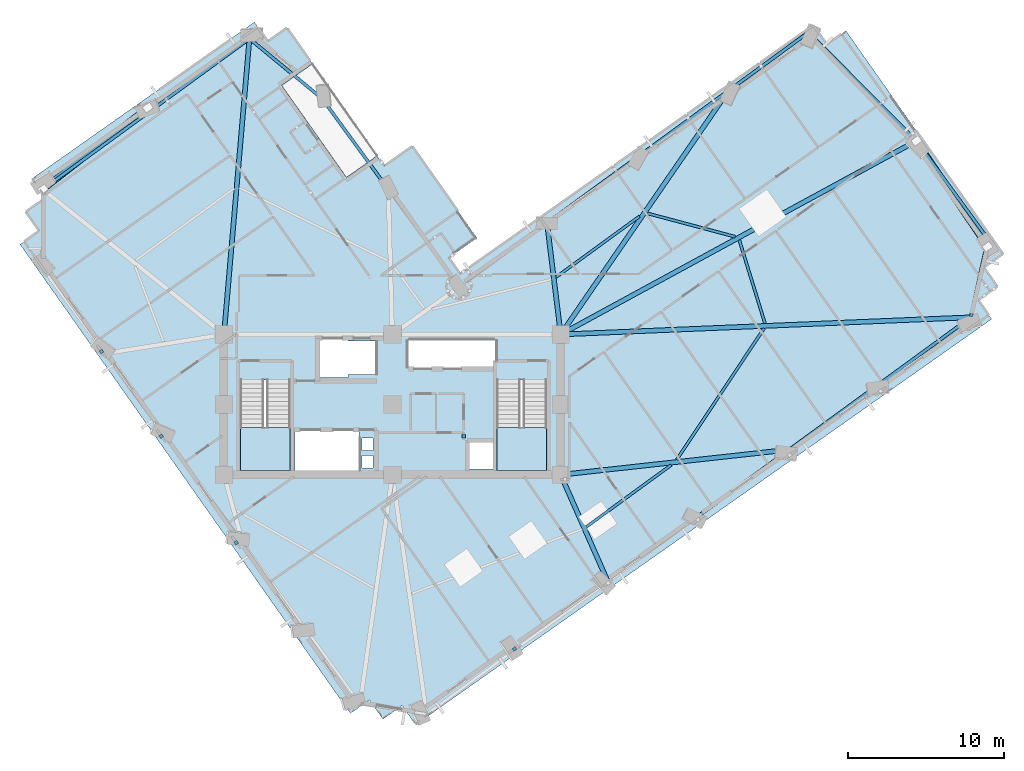
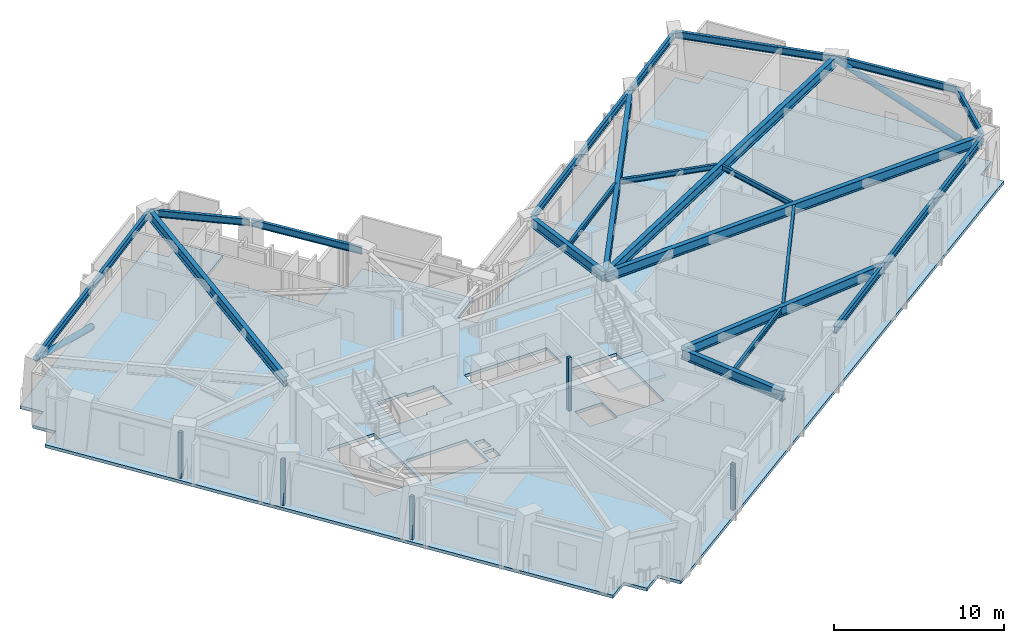
# One storey, part 2 of 13: 25 beams, 5 plates, 3 slabs, 2 members, 2 elements without a shape of their own.
"""IFC4 building model written with IfcOpenShell, lengths in metres."""

from ifc_helpers import new_model, si_unit, direction, frame, origin, origin_2d, place, context, subcontext, project, spatial, polyline, rectangle, hollow_circle, i_section, outline, extrude, material, layer, layer_set, material_profile, profile_set, type_object, element, aggregate, save


model = new_model("IFC4")

# Units and contexts
model_context = context("Model", 3, precision=1e-05, world=origin(), true_north=direction((0.0, 1.0)))
body_context = subcontext(model_context, "Body", "Model", "MODEL_VIEW")
ifc_project = project(units=[si_unit("LENGTHUNIT", "METRE"), si_unit("AREAUNIT", "SQUARE_METRE"), si_unit("VOLUMEUNIT", "CUBIC_METRE"), si_unit("PLANEANGLEUNIT", "RADIAN"), si_unit("MASSUNIT", "GRAM", prefix="KILO")], contexts=[model_context])

# Site, building, storey
site_placement = place(None, origin())
site = spatial("IfcSite", under=ifc_project, at=site_placement, CompositionType="ELEMENT")
building_placement = place(site_placement, origin())
building = spatial("IfcBuilding", under=site, at=building_placement, Name="Gaonmaruhae Medical Tower", CompositionType="ELEMENT")
storey_placement = place(building_placement, frame((0.0, 0.0, 173.800048828125)))
storey = spatial("IfcBuildingStorey", under=building, at=storey_placement, Name="L41", CompositionType="ELEMENT", Elevation=173.800048828125)

# Beams
ifc_material_1 = material(Name="Steel SM355", Category="steel")
ifc_material_profile_1 = material_profile(ifc_material_1, i_section(OverallWidth=0.175048828125, OverallDepth=0.35009765625, WebThickness=0.007080078125, FlangeThickness=0.010986328125, FilletRadius=0.012939453125, at=origin_2d()), Name="H-350x175x7x11")
ifc_profile_set_1 = profile_set([ifc_material_profile_1], Name="Steel SM355")
beam_type_1 = type_object("IfcBeamType", Name="FJ-02 Upper Zone Ward Floor Joist (H-350x175x7x11)", PredefinedType="JOIST", material=ifc_profile_set_1)
beam_1_placement = place(storey_placement, frame((37.24365234375, 4.459228515625, 3.60498046875), z_axis=(0.808007889848, 0.58917166424, 0.0), x_axis=(-0.58917166424, 0.808007889848, 0.0)))
element("IfcBeam", 1, at=beam_1_placement, inside=storey, type_object=beam_type_1, Name="L41 Secondary Floor Joist FJ02", PredefinedType="JOIST", context=body_context, shape_type="SweptSolid", body=[
    extrude(i_section(OverallWidth=0.175048828125, OverallDepth=0.35009765625, WebThickness=0.007080078125, FlangeThickness=0.010986328125, FilletRadius=0.012939453125, at=origin_2d()), origin(), (0.0, 0.0, 1.0), 6.73291015625),
])
beam_2_placement = place(storey_placement, frame((43.044189453125, 8.775146484375, 3.60498046875), z_axis=(0.553986532679, 0.8325256282, 0.0), x_axis=(-0.8325256282, 0.553986532679, 0.0)))
element("IfcBeam", 2, at=beam_2_placement, inside=storey, type_object=beam_type_1, Name="L41 Secondary Floor Joist FJ03", PredefinedType="JOIST", context=body_context, shape_type="SweptSolid", body=[
    extrude(i_section(OverallWidth=0.175048828125, OverallDepth=0.35009765625, WebThickness=0.007080078125, FlangeThickness=0.010986328125, FilletRadius=0.012939453125, at=origin_2d()), origin(), (0.0, 0.0, 1.0), 10.10791015625),
])
beam_3_placement = place(storey_placement, frame((48.702392578125, 17.50341796875, 3.60498046875), z_axis=(-0.29450541671, 0.955649810092, 0.0), x_axis=(-0.955649810092, -0.29450541671, 0.0)))
element("IfcBeam", 3, at=beam_3_placement, inside=storey, type_object=beam_type_1, Name="L41 Secondary Floor Joist FJ04", PredefinedType="JOIST", context=body_context, shape_type="SweptSolid", body=[
    extrude(i_section(OverallWidth=0.175048828125, OverallDepth=0.35009765625, WebThickness=0.007080078125, FlangeThickness=0.010986328125, FilletRadius=0.012939453125, at=origin_2d()), origin(), (0.0, 0.0, 1.0), 5.6015625),
])
beam_4_placement = place(storey_placement, frame((46.789306640625, 23.066162109375, 3.60498046875), z_axis=(-0.966301404226, 0.25741327897, 0.0), x_axis=(-0.25741327897, -0.966301404226, 0.0)))
element("IfcBeam", 4, at=beam_4_placement, inside=storey, type_object=beam_type_1, Name="L41 Secondary Floor Joist FJ05", PredefinedType="JOIST", context=body_context, shape_type="SweptSolid", body=[
    extrude(i_section(OverallWidth=0.175048828125, OverallDepth=0.35009765625, WebThickness=0.007080078125, FlangeThickness=0.010986328125, FilletRadius=0.012939453125, at=origin_2d()), origin(), (0.0, 0.0, 1.0), 5.849853515625),
])
beam_5_placement = place(storey_placement, frame((40.653076171875, 24.378662109375, 3.60498046875), z_axis=(-0.807984492993, -0.589203750058, 0.0), x_axis=(0.589203750058, -0.807984492993, 0.0)))
element("IfcBeam", 5, at=beam_5_placement, inside=storey, type_object=beam_type_1, Name="L41 Secondary Floor Joist FJ06", PredefinedType="JOIST", context=body_context, shape_type="SweptSolid", body=[
    extrude(i_section(OverallWidth=0.175048828125, OverallDepth=0.35009765625, WebThickness=0.007080078125, FlangeThickness=0.010986328125, FilletRadius=0.012939453125, at=origin_2d()), origin(), (0.0, 0.0, 1.0), 6.621826171875),
])

# Members
ifc_material_2 = material(Name="Steel SM420", Category="steel")
ifc_material_profile_2 = material_profile(ifc_material_2, hollow_circle(Radius=0.203125, WallThickness=0.0126953125, at=origin_2d()), Name="CHS-406.4x12.7")
ifc_profile_set_2 = profile_set([ifc_material_profile_2], Name="Steel SM420")
member_type = type_object("IfcMemberType", Name="PB-02 Perimeter Solid-Bay Tube Brace Mid (CHS-406.4x12.7)", PredefinedType="BRACE", material=ifc_profile_set_2)
member_1_placement = place(storey_placement, frame((62.971923828125, 22.427490234375, 0.25), z_axis=(-0.517505162012, 0.770481211818, 0.372219168672), x_axis=(-0.830130339402, -0.557569385462, 0.0)))
element("IfcMember", 6, at=member_1_placement, inside=storey, type_object=member_type, Name="L41 Perimeter Tube Solid-Bay Brace E01-E02", PredefinedType="BRACE", context=body_context, shape_type="SweptSolid", body=[
    extrude(hollow_circle(Radius=0.203125, WallThickness=0.0126953125, at=origin_2d()), origin(), (0.0, 0.0, 1.0), 8.81201171875),
])
member_2_placement = place(storey_placement, frame((9.115478515625, 31.347900390625, 0.25), z_axis=(-0.736573453832, -0.5732496654, 0.358948977193), x_axis=(0.614180375537, -0.789165677348, 0.0)))
element("IfcMember", 7, at=member_2_placement, inside=storey, type_object=member_type, Name="L41 Perimeter Tube Solid-Bay Brace N02-N03", PredefinedType="BRACE", context=body_context, shape_type="SweptSolid", body=[
    extrude(hollow_circle(Radius=0.203125, WallThickness=0.0126953125, at=origin_2d()), origin(), (0.0, 0.0, 1.0), 9.137939453125),
])

# Beams
ifc_material_profile_3 = material_profile(ifc_material_2, i_section(OverallWidth=0.300048828125, OverallDepth=0.699951171875, WebThickness=0.012939453125, FlangeThickness=0.02392578125, FilletRadius=0.01806640625, at=origin_2d()), Name="H-700x300x13x24")
ifc_profile_set_3 = profile_set([ifc_material_profile_3], Name="Steel SM420")
beam_type_2 = type_object("IfcBeamType", Name="PG-03 Zone 3 Radial Floor Girder (H-700x300x13x24)", PredefinedType="BEAM", material=ifc_profile_set_3)
beam_6_placement = place(storey_placement, frame((35.6201171875, 7.754150390625, 3.429931640625), z_axis=(0.403546896602, -0.914958962054, 0.0), x_axis=(0.914958962054, 0.403546896602, 0.0)))
element("IfcBeam", 8, at=beam_6_placement, inside=storey, type_object=beam_type_2, Name="L41 Radial Primary Girder S03", PredefinedType="BEAM", context=body_context, shape_type="SweptSolid", body=[
    extrude(i_section(OverallWidth=0.300048828125, OverallDepth=0.699951171875, WebThickness=0.012939453125, FlangeThickness=0.02392578125, FilletRadius=0.01806640625, at=origin_2d()), origin(), (0.0, 0.0, 1.0), 7.407958984375),
])
beam_7_placement = place(storey_placement, frame((35.649658203125, 7.805419921875, 3.429931640625), z_axis=(0.993992761266, 0.109445833871, 0.0), x_axis=(-0.109445833871, 0.993992761266, 0.0)))
element("IfcBeam", 9, at=beam_7_placement, inside=storey, type_object=beam_type_2, Name="L41 Radial Primary Girder S05", PredefinedType="BEAM", context=body_context, shape_type="SweptSolid", body=[
    extrude(i_section(OverallWidth=0.300048828125, OverallDepth=0.699951171875, WebThickness=0.012939453125, FlangeThickness=0.02392578125, FilletRadius=0.01806640625, at=origin_2d()), origin(), (0.0, 0.0, 1.0), 14.653564453125),
])
beam_8_placement = place(storey_placement, frame((35.64990234375, 16.802001953125, 3.429931640625), z_axis=(0.999127821099, 0.041756401972, 0.0), x_axis=(-0.041756401972, 0.999127821099, 0.0)))
element("IfcBeam", 10, at=beam_8_placement, inside=storey, type_object=beam_type_2, Name="L41 Radial Primary Girder S07", PredefinedType="BEAM", context=body_context, shape_type="SweptSolid", body=[
    extrude(i_section(OverallWidth=0.300048828125, OverallDepth=0.699951171875, WebThickness=0.012939453125, FlangeThickness=0.02392578125, FilletRadius=0.01806640625, at=origin_2d()), origin(), (0.0, 0.0, 1.0), 26.222900390625),
])
beam_9_placement = place(storey_placement, frame((35.643798828125, 16.823974609375, 3.429931640625), z_axis=(0.878312845344, 0.478086337081, 0.0), x_axis=(-0.478086337081, 0.878312845344, 0.0)))
element("IfcBeam", 11, at=beam_9_placement, inside=storey, type_object=beam_type_2, Name="L41 Radial Primary Girder E02", PredefinedType="BEAM", context=body_context, shape_type="SweptSolid", body=[
    extrude(i_section(OverallWidth=0.300048828125, OverallDepth=0.699951171875, WebThickness=0.012939453125, FlangeThickness=0.02392578125, FilletRadius=0.01806640625, at=origin_2d()), origin(), (0.0, 0.0, 1.0), 25.8720703125),
])
beam_10_placement = place(storey_placement, frame((35.62841796875, 16.84130859375, 3.429931640625), z_axis=(0.56683625254, 0.823830481839, 0.0), x_axis=(-0.823830481839, 0.56683625254, 0.0)))
element("IfcBeam", 12, at=beam_10_placement, inside=storey, type_object=beam_type_2, Name="L41 Radial Primary Girder EN01", PredefinedType="BEAM", context=body_context, shape_type="SweptSolid", body=[
    extrude(i_section(OverallWidth=0.300048828125, OverallDepth=0.699951171875, WebThickness=0.012939453125, FlangeThickness=0.02392578125, FilletRadius=0.01806640625, at=origin_2d()), origin(), (0.0, 0.0, 1.0), 18.871337890625),
])
beam_11_placement = place(storey_placement, frame((35.593994140625, 16.849609375, 3.429931640625), z_axis=(-0.122430385256, 0.992477103396, 0.0), x_axis=(-0.992477103396, -0.122430385256, 0.0)))
element("IfcBeam", 13, at=beam_11_placement, inside=storey, type_object=beam_type_2, Name="L41 Radial Primary Girder EN03", PredefinedType="BEAM", context=body_context, shape_type="SweptSolid", body=[
    extrude(i_section(OverallWidth=0.300048828125, OverallDepth=0.699951171875, WebThickness=0.012939453125, FlangeThickness=0.02392578125, FilletRadius=0.01806640625, at=origin_2d()), origin(), (0.0, 0.0, 1.0), 7.09912109375),
])
beam_12_placement = place(storey_placement, frame((14.00439453125, 16.849853515625, 3.429931640625), z_axis=(0.085900473647, 0.996303723082, 0.0), x_axis=(-0.996303723082, 0.085900473647, 0.0)))
element("IfcBeam", 14, at=beam_12_placement, inside=storey, type_object=beam_type_2, Name="L41 Radial Primary Girder N01", PredefinedType="BEAM", context=body_context, shape_type="SweptSolid", body=[
    extrude(i_section(OverallWidth=0.300048828125, OverallDepth=0.699951171875, WebThickness=0.012939453125, FlangeThickness=0.02392578125, FilletRadius=0.01806640625, at=origin_2d()), origin(), (0.0, 0.0, 1.0), 18.94287109375),
])
ifc_material_profile_4 = material_profile(ifc_material_1, i_section(OverallWidth=0.199951171875, OverallDepth=0.5, WebThickness=0.010009765625, FlangeThickness=0.01611328125, FilletRadius=0.012939453125, at=origin_2d()), Name="H-500x200x10x16")
ifc_profile_set_4 = profile_set([ifc_material_profile_4], Name="Steel SM355")
beam_type_3 = type_object("IfcBeamType", Name="SP-02 Upper Perimeter Spandrel Beam (H-500x200x10x16)", PredefinedType="SPANDREL", material=ifc_profile_set_4)
for number, where, z_axis, x_axis, name in (
    (15, (44.4794921875, 5.196044921875, 3.530029296875), (0.807992566655, 0.589192678358, 0.0), (-0.589192678358, 0.807992566655, 0.0), "L41 Perimeter Spandrel Beam S04-S05"),
    (16, (50.297119140625, 9.438232421875, 3.530029296875), (0.807992566655, 0.589192678358, 0.0), (-0.589192678358, 0.807992566655, 0.0), "L41 Perimeter Spandrel Beam S05-S06"),
    (17, (56.114501953125, 13.680419921875, 3.530029296875), (0.807992566655, 0.589192678358, 0.0), (-0.589192678358, 0.807992566655, 0.0), "L41 Perimeter Spandrel Beam S06-S07"),
):
    element("IfcBeam", number, at=place(storey_placement, frame(where, z_axis=z_axis, x_axis=x_axis)), inside=storey, type_object=beam_type_3, Name=name, PredefinedType="SPANDREL", context=body_context, shape_type="SweptSolid", body=[
        extrude(i_section(OverallWidth=0.199951171875, OverallDepth=0.5, WebThickness=0.010009765625, FlangeThickness=0.01611328125, FilletRadius=0.012939453125, at=origin_2d()), origin(), (0.0, 0.0, 1.0), 7.1201171875),
    ])
beam_13_placement = place(storey_placement, frame((61.908447265625, 17.938232421875, 3.530029296875), z_axis=(0.215631738056, 0.976474758272, 0.0), x_axis=(-0.976474758272, 0.215631738056, 0.0)))
element("IfcBeam", 18, at=beam_13_placement, inside=storey, type_object=beam_type_3, Name="L41 Perimeter Spandrel Beam S07-E01", PredefinedType="SPANDREL", context=body_context, shape_type="SweptSolid", body=[
    extrude(i_section(OverallWidth=0.199951171875, OverallDepth=0.5, WebThickness=0.010009765625, FlangeThickness=0.01611328125, FilletRadius=0.012939453125, at=origin_2d()), origin(), (0.0, 0.0, 1.0), 5.056396484375),
])
beam_14_placement = place(storey_placement, frame((62.983642578125, 22.947021484375, 3.530029296875), z_axis=(-0.589203557871, 0.807984633141, 0.0), x_axis=(-0.807984633141, -0.589203557871, 0.0)))
element("IfcBeam", 19, at=beam_14_placement, inside=storey, type_object=beam_type_3, Name="L41 Perimeter Spandrel Beam E01-E02", PredefinedType="SPANDREL", context=body_context, shape_type="SweptSolid", body=[
    extrude(i_section(OverallWidth=0.199951171875, OverallDepth=0.5, WebThickness=0.010009765625, FlangeThickness=0.01611328125, FilletRadius=0.012939453125, at=origin_2d()), origin(), (0.0, 0.0, 1.0), 7.719970703125),
])
beam_15_placement = place(storey_placement, frame((58.38330078125, 29.245361328125, 3.530029296875), z_axis=(-0.705751260539, 0.708459708274, 0.0), x_axis=(-0.708459708274, -0.705751260539, 0.0)))
element("IfcBeam", 20, at=beam_15_placement, inside=storey, type_object=beam_type_3, Name="L41 Perimeter Spandrel Beam E02-E03", PredefinedType="SPANDREL", context=body_context, shape_type="SweptSolid", body=[
    extrude(i_section(OverallWidth=0.199951171875, OverallDepth=0.5, WebThickness=0.010009765625, FlangeThickness=0.01611328125, FilletRadius=0.012939453125, at=origin_2d()), origin(), (0.0, 0.0, 1.0), 9.735107421875),
])
beam_16_placement = place(storey_placement, frame((51.4521484375, 36.147216796875, 3.530029296875), z_axis=(-0.80798783493, -0.58919916718, 0.0), x_axis=(0.58919916718, -0.80798783493, 0.0)))
element("IfcBeam", 21, at=beam_16_placement, inside=storey, type_object=beam_type_3, Name="L41 Perimeter Spandrel Beam E03-EN01", PredefinedType="SPANDREL", context=body_context, shape_type="SweptSolid", body=[
    extrude(i_section(OverallWidth=0.199951171875, OverallDepth=0.5, WebThickness=0.010009765625, FlangeThickness=0.01611328125, FilletRadius=0.012939453125, at=origin_2d()), origin(), (0.0, 0.0, 1.0), 6.27001953125),
])
for number, where, z_axis, x_axis, name in (
    (22, (46.3212890625, 32.40576171875, 3.530029296875), (-0.807992566655, -0.589192678358, 0.0), (0.589192678358, -0.807992566655, 0.0), "L41 Perimeter Spandrel Beam EN01-EN02"),
    (23, (40.50390625, 28.16357421875, 3.530029296875), (-0.807992566655, -0.589192678358, 0.0), (0.589192678358, -0.807992566655, 0.0), "L41 Perimeter Spandrel Beam EN02-EN03"),
    (24, (24.51318359375, 26.144287109375, 3.510009765625), (-0.589192678358, 0.807992566655, 0.0), (-0.807992566655, -0.589192678358, 0.0), "L41 Perimeter Spandrel Beam NE01-NE02"),
):
    element("IfcBeam", number, at=place(storey_placement, frame(where, z_axis=z_axis, x_axis=x_axis)), inside=storey, type_object=beam_type_3, Name=name, PredefinedType="SPANDREL", context=body_context, shape_type="SweptSolid", body=[
        extrude(i_section(OverallWidth=0.199951171875, OverallDepth=0.5, WebThickness=0.010009765625, FlangeThickness=0.01611328125, FilletRadius=0.012939453125, at=origin_2d()), origin(), (0.0, 0.0, 1.0), 7.1201171875),
    ])
beam_17_placement = place(storey_placement, frame((20.263671875, 31.954833984375, 3.510009765625), z_axis=(-0.771411991554, 0.636336027023, 0.0), x_axis=(-0.636336027023, -0.771411991554, 0.0)))
element("IfcBeam", 25, at=beam_17_placement, inside=storey, type_object=beam_type_3, Name="L41 Perimeter Spandrel Beam NE02-N01", PredefinedType="SPANDREL", context=body_context, shape_type="SweptSolid", body=[
    extrude(i_section(OverallWidth=0.199951171875, OverallDepth=0.5, WebThickness=0.010009765625, FlangeThickness=0.01611328125, FilletRadius=0.012939453125, at=origin_2d()), origin(), (0.0, 0.0, 1.0), 5.958984375),
])
beam_18_placement = place(storey_placement, frame((15.603515625, 35.748779296875, 3.530029296875), z_axis=(-0.807991725344, -0.589193832093, 0.0), x_axis=(0.589193832093, -0.807991725344, 0.0)))
element("IfcBeam", 26, at=beam_18_placement, inside=storey, type_object=beam_type_3, Name="L41 Perimeter Spandrel Beam N01-N02", PredefinedType="SPANDREL", context=body_context, shape_type="SweptSolid", body=[
    extrude(i_section(OverallWidth=0.199951171875, OverallDepth=0.5, WebThickness=0.010009765625, FlangeThickness=0.01611328125, FilletRadius=0.012939453125, at=origin_2d()), origin(), (0.0, 0.0, 1.0), 8.119873046875),
])
beam_19_placement = place(storey_placement, frame((8.97802734375, 30.91748046875, 3.530029296875), z_axis=(-0.807987849415, -0.589199147316, 0.0), x_axis=(0.589199147316, -0.807987849415, 0.0)))
element("IfcBeam", 27, at=beam_19_placement, inside=storey, type_object=beam_type_3, Name="L41 Perimeter Spandrel Beam N02-N03", PredefinedType="SPANDREL", context=body_context, shape_type="SweptSolid", body=[
    extrude(i_section(OverallWidth=0.199951171875, OverallDepth=0.5, WebThickness=0.010009765625, FlangeThickness=0.01611328125, FilletRadius=0.012939453125, at=origin_2d()), origin(), (0.0, 0.0, 1.0), 8.1201171875),
])

# Slab
ifc_material_3 = material(Name="Concrete C40/50", Category="concrete")
ifc_layer_1 = layer(ifc_material_3, 0.219970703125)
ifc_layer_set_1 = layer_set([ifc_layer_1], Name="Concrete C40/50")
slab_type_1 = type_object("IfcSlabType", Name="FS-220 Clinical Ward Composite Floor Slab", PredefinedType="FLOOR", material=ifc_layer_set_1)
slab_1_placement = place(storey_placement, frame((0.0, 0.0, -0.219970703125)))
element("IfcSlab", 28, at=slab_1_placement, inside=storey, type_object=slab_type_1, Name="L41 Structural Slab 1", PredefinedType="FLOOR", context=body_context, shape_type="SweptSolid", body=[
    extrude(outline(polyline([(51.803466796875, 36.638916015625), (52.6669921875, 35.41259765625), (53.8935546875, 36.276123046875), (63.96875, 21.96728515625), (62.7421875, 21.103759765625), (63.605712890625, 19.877197265625), (62.37939453125, 19.013671875), (63.242919921875, 17.787109375), (26.28515625, -8.2353515625), (25.421630859375, -7.0087890625), (24.1953125, -7.872314453125), (23.33154296875, -6.64599609375), (22.10498046875, -7.509521484375), (0.918701171875, 22.579833984375), (2.14501953125, 23.443603515625), (1.281494140625, 24.669921875), (2.508056640625, 25.533447265625), (1.644287109375, 26.760009765625), (15.953369140625, 36.835205078125), (16.81689453125, 35.608642578125), (18.043212890625, 36.47216796875), (19.677734375, 34.15087890625), (17.71533203125, 32.76904296875), (21.860595703125, 26.882080078125), (23.822998046875, 28.263916015625), (24.283447265625, 27.609619140625), (26.08251953125, 28.876220703125), (30.2275390625, 22.9892578125), (28.4287109375, 21.72265625), (29.15478515625, 20.691650390625), (51.803466796875, 36.638916015625)]), holes=[polyline([(23.550048828125, 8.25), (22.85009765625, 8.25), (22.85009765625, 9.050048828125), (23.550048828125, 9.050048828125), (23.550048828125, 8.25)]), polyline([(31.425048828125, 9.925048828125), (31.425048828125, 8.175048828125), (29.574951171875, 8.175048828125), (29.574951171875, 9.925048828125), (31.425048828125, 9.925048828125)]), polyline([(22.64990234375, 10.625), (22.64990234375, 8.074951171875), (18.550048828125, 8.074951171875), (18.550048828125, 10.625), (22.64990234375, 10.625)]), polyline([(23.550048828125, 9.35009765625), (22.85009765625, 9.35009765625), (22.85009765625, 10.14990234375), (23.550048828125, 10.14990234375), (23.550048828125, 9.35009765625)]), polyline([(15.050048828125, 13.889892578125), (18.25, 13.889892578125), (18.25, 8.300048828125), (15.050048828125, 8.300048828125), (15.050048828125, 13.889892578125)]), polyline([(31.5, 13.889892578125), (34.699951171875, 13.889892578125), (34.699951171875, 8.300048828125), (31.5, 8.300048828125), (31.5, 13.889892578125)]), polyline([(21.949951171875, 14.22509765625), (21.949951171875, 14.02490234375), (19.949951171875, 14.02490234375), (19.949951171875, 16.574951171875), (21.949951171875, 16.574951171875), (21.949951171875, 16.375), (23.72509765625, 16.375), (23.72509765625, 14.22509765625), (21.949951171875, 14.22509765625)]), polyline([(31.425048828125, 16.425048828125), (31.425048828125, 14.675048828125), (25.824951171875, 14.675048828125), (25.824951171875, 16.425048828125), (31.425048828125, 16.425048828125)])]), origin(), (0.0, 0.0, 1.0), 0.219970703125),
])

# Plates
ifc_material_4 = material(Name="Anodised aluminium 6063-T6", Category="aluminium")
ifc_layer_2 = layer(ifc_material_4, 0.011962890625)
ifc_layer_set_2 = layer_set([ifc_layer_2], Name="Anodised aluminium 6063-T6")
plate_type = type_object("IfcPlateType", Name="PP-01 Interior Partition Corner Stiffener Plate", PredefinedType="SHEET", material=ifc_layer_set_2)
plate_1_placement = place(storey_placement, frame((29.3798828125, 10.260009765625, 0.0), z_axis=(0.0, 0.0, 1.0), x_axis=(0.0, -1.0, 0.0)))
element("IfcPlate", 29, at=plate_1_placement, inside=storey, type_object=plate_type, Name="L41 Partition Corner Stiffener Plate PLT-L41-JGP-PW002", PredefinedType="SHEET", context=body_context, shape_type="SweptSolid", body=[
    extrude(rectangle(XDim=0.219970703125, YDim=0.219970703125, at=origin_2d()), origin(), (0.0, 0.0, 1.0), 3.780029296875),
])
plate_2_placement = place(storey_placement, frame((32.6298828125, -3.3759765625, 0.0), z_axis=(0.0, 0.0, 1.0), x_axis=(-0.817547124842, -0.575861700985, 0.0)))
element("IfcPlate", 30, at=plate_2_placement, inside=storey, type_object=plate_type, Name="L41 Partition Corner Stiffener Plate PLT-L41-JGP-PW008", PredefinedType="SHEET", context=body_context, shape_type="SweptSolid", body=[
    extrude(rectangle(XDim=0.219970703125, YDim=0.219970703125, at=origin_2d()), origin(), (0.0, 0.0, 1.0), 3.264892578125),
])
plate_3_placement = place(storey_placement, frame((14.782958984375, 3.445556640625, 0.0), z_axis=(0.0, 0.0, 1.0), x_axis=(-0.575562015641, 0.817758134262, 0.0)))
element("IfcPlate", 31, at=plate_3_placement, inside=storey, type_object=plate_type, Name="L41 Partition Corner Stiffener Plate PLT-L41-JGP-PW037", PredefinedType="SHEET", context=body_context, shape_type="SweptSolid", body=[
    extrude(rectangle(XDim=0.219970703125, YDim=0.219970703125, at=origin_2d()), origin(), (0.0, 0.0, 1.0), 3.06494140625),
])
for number, where, z_axis, x_axis, name in (
    (32, (9.9755859375, 10.2724609375, 0.0), (0.0, 0.0, 1.0), (-0.575690461687, 0.817667715103, 0.0), "L41 Partition Corner Stiffener Plate PLT-L41-JGP-PW043"),
    (33, (6.1474609375, 15.70947265625, 0.0), (0.0, 0.0, 1.0), (-0.575447829456, 0.817838489908, 0.0), "L41 Partition Corner Stiffener Plate PLT-L41-JGP-PW047"),
):
    element("IfcPlate", number, at=place(storey_placement, frame(where, z_axis=z_axis, x_axis=x_axis)), inside=storey, type_object=plate_type, Name=name, PredefinedType="SHEET", context=body_context, shape_type="SweptSolid", body=[
        extrude(rectangle(XDim=0.219970703125, YDim=0.219970703125, at=origin_2d()), origin(), (0.0, 0.0, 1.0), 3.264892578125),
    ])

# Stair, slab
stair_type = type_object("IfcStairType", Name="ST-T1 Primary Core Escape Dogleg Stair", PredefinedType="TWO_QUARTER_TURN_STAIR", material=ifc_material_3)
stair_1_placement = place(storey_placement, origin())
stair_1 = element("IfcStair", 34, at=stair_1_placement, inside=storey, type_object=stair_type, Name="L41 Protected Escape Stair ST-01", PredefinedType="TWO_QUARTER_TURN_STAIR")
ifc_layer_3 = layer(ifc_material_3, 0.199951171875)
ifc_layer_set_3 = layer_set([ifc_layer_3], Name="Concrete C40/50")
slab_type_2 = type_object("IfcSlabType", Name="SL-200 Stair & Ramp Intermediate Concrete Landing", PredefinedType="LANDING", material=ifc_layer_set_3)
slab_2_placement = place(storey_placement, frame((0.0, 0.0, 1.800048828125)))
slab_2 = element("IfcSlab", 35, at=slab_2_placement, type_object=slab_type_2, Name="ST-01 landing 1", PredefinedType="LANDING", context=body_context, shape_type="SweptSolid", body=[
    extrude(outline(polyline([(15.050048828125, 10.820068359375), (15.050048828125, 8.0791015625), (18.25, 8.0791015625), (18.25, 10.820068359375), (15.050048828125, 10.820068359375)])), origin(), (0.0, 0.0, 1.0), 0.199951171875),
])
aggregate(stair_1, [slab_2])

stair_2_placement = place(storey_placement, origin())
stair_2 = element("IfcStair", 36, at=stair_2_placement, inside=storey, type_object=stair_type, Name="L41 Protected Escape Stair ST-02", PredefinedType="TWO_QUARTER_TURN_STAIR")
slab_3_placement = place(storey_placement, frame((0.0, 0.0, 1.800048828125)))
slab_3 = element("IfcSlab", 37, at=slab_3_placement, type_object=slab_type_2, Name="ST-02 landing 1", PredefinedType="LANDING", context=body_context, shape_type="SweptSolid", body=[
    extrude(outline(polyline([(31.5, 10.820068359375), (31.5, 8.0791015625), (34.699951171875, 8.0791015625), (34.699951171875, 10.820068359375), (31.5, 10.820068359375)])), origin(), (0.0, 0.0, 1.0), 0.199951171875),
])
aggregate(stair_2, [slab_3])

save(model, "model.ifc")
